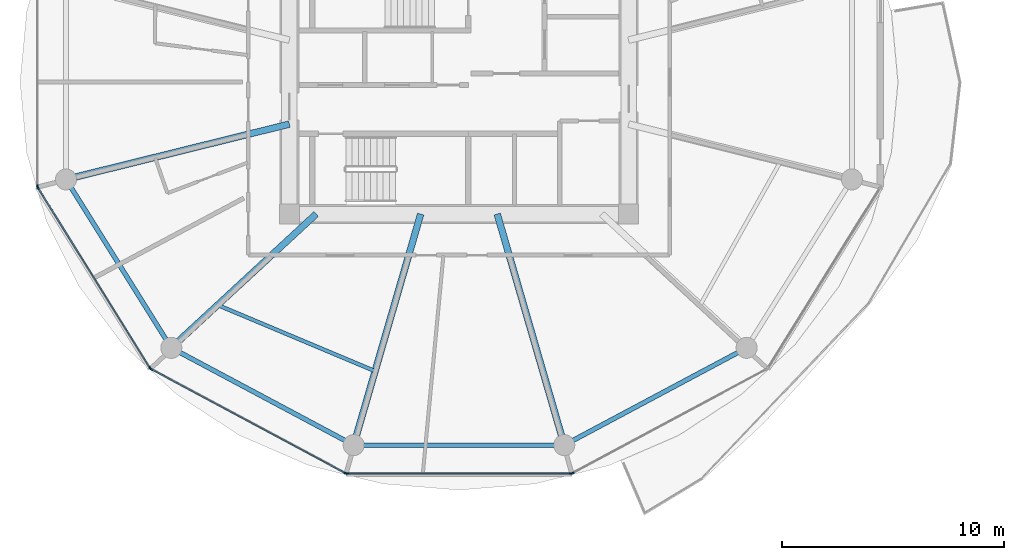
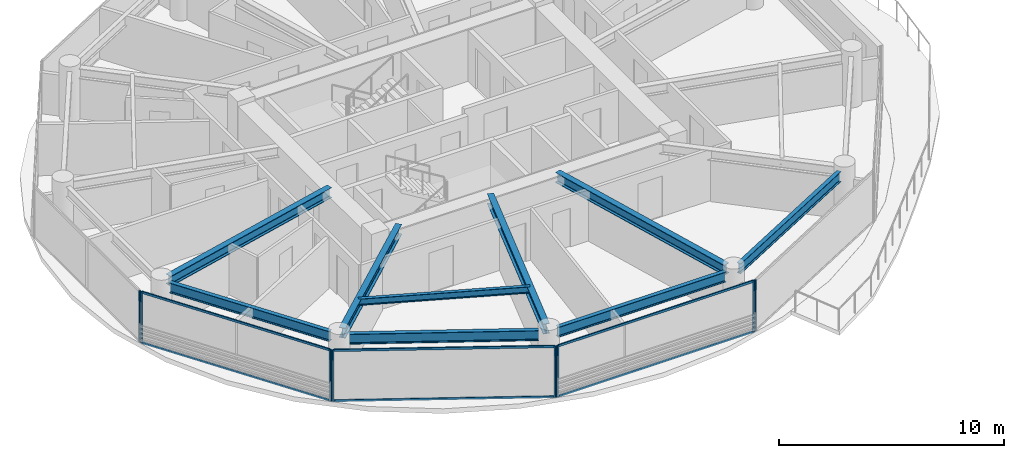
# One storey, part 2 of 27: 14 members, 9 beams, 5 elements without a shape of their own.
"""IFC4 building model written with IfcOpenShell, lengths in metres."""

from ifc_helpers import new_model, si_unit, direction, frame, origin, origin_2d, place, context, subcontext, project, spatial, rectangle, i_section, extrude, source, transform, mapped, material, layer, layer_set, material_profile, profile_set, type_object, type_shapes, element, aggregate, save


model = new_model("IFC4")

# Units and contexts
model_context = context("Model", 3, precision=1e-05, world=origin(), true_north=direction((0.0, 1.0)))
body_context = subcontext(model_context, "Body", "Model", "MODEL_VIEW")
ifc_project = project(units=[si_unit("LENGTHUNIT", "METRE"), si_unit("AREAUNIT", "SQUARE_METRE"), si_unit("VOLUMEUNIT", "CUBIC_METRE"), si_unit("PLANEANGLEUNIT", "RADIAN"), si_unit("MASSUNIT", "GRAM", prefix="KILO")], contexts=[model_context])

# Site, building, storey
site_placement = place(None, origin())
site = spatial("IfcSite", under=ifc_project, at=site_placement, CompositionType="ELEMENT")
building_placement = place(site_placement, origin())
building = spatial("IfcBuilding", under=site, at=building_placement, Name="Norrkilde Senior Care Towers", CompositionType="ELEMENT")
storey_placement = place(building_placement, frame((0.0, 0.0, 61.25)))
storey = spatial("IfcBuildingStorey", under=building, at=storey_placement, Name="L18", CompositionType="ELEMENT", Elevation=61.25)

# Beams
ifc_material_1 = material(Name="Steel S355", Category="steel")
ifc_material_profile_1 = material_profile(ifc_material_1, i_section(OverallWidth=0.2099609375, OverallDepth=0.550048828125, WebThickness=0.010986328125, FlangeThickness=0.01708984375, FilletRadius=0.02392578125, at=origin_2d()), Name="IPE 550")
ifc_profile_set_1 = profile_set([ifc_material_profile_1], Name="Steel S355")
beam_type_1 = type_object("IfcBeamType", Name="Perimeter Ring Spandrel Z1 IPE550", PredefinedType="SPANDREL", material=ifc_profile_set_1)
shared_shape_1 = source(origin(), body_context, "Body", "SweptSolid", [
    extrude(i_section(OverallWidth=0.2099609375, OverallDepth=0.550048828125, WebThickness=0.010986328125, FlangeThickness=0.01708984375, FilletRadius=0.02392578125, at=origin_2d()), origin(), (0.0, 0.0, 1.0), 8.090576171875),
])
beam_1_placement = place(storey_placement, frame((-45.494140625, -4.755859375, 2.514892578125), z_axis=(0.530004364821, -0.84799491347, 0.0), x_axis=(0.84799491347, 0.530004364821, 0.0)))
element("IfcBeam", 1, at=beam_1_placement, inside=storey, type_object=beam_type_1, Name="L18 Drum W Perimeter Spandrel 07", PredefinedType="SPANDREL", context=body_context, shape_type="MappedRepresentation", body=[
    mapped(shared_shape_1, transform((0.0, 0.0, 0.0), x_axis=(1.0, 0.0, 0.0), y_axis=(0.0, 1.0, 0.0), z_axis=(0.0, 0.0, 1.0), scale=1.0)),
])
ifc_material_profile_2 = material_profile(ifc_material_1, i_section(OverallWidth=0.300048828125, OverallDepth=0.550048828125, WebThickness=0.014892578125, FlangeThickness=0.029052734375, FilletRadius=0.027099609375, at=origin_2d()), Name="HEB 550")
ifc_profile_set_2 = profile_set([ifc_material_profile_2], Name="Steel S355")
beam_type_2 = type_object("IfcBeamType", Name="Radial Floor Beam Z1 HEB550", PredefinedType="BEAM", material=ifc_profile_set_2)
shared_shape_2 = source(origin(), body_context, "Body", "SweptSolid", [
    extrude(i_section(OverallWidth=0.300048828125, OverallDepth=0.550048828125, WebThickness=0.014892578125, FlangeThickness=0.029052734375, FilletRadius=0.027099609375, at=origin_2d()), origin(), (0.0, 0.0, 1.0), 9.94384765625),
])
beam_2_placement = place(storey_placement, frame((-35.64990234375, -1.893310546875, 2.514892578125), z_axis=(-0.970707425182, -0.240264634718, 0.0), x_axis=(0.240264634718, -0.970707425182, 0.0)))
element("IfcBeam", 2, at=beam_2_placement, inside=storey, type_object=beam_type_2, Name="L18 Drum W Radial Floor Beam 07", PredefinedType="BEAM", context=body_context, shape_type="MappedRepresentation", body=[
    mapped(shared_shape_2, transform((0.0, 0.0, 0.0), x_axis=(1.0, 0.0, 0.0), y_axis=(0.0, 1.0, 0.0), z_axis=(0.0, 0.0, 1.0), scale=1.0)),
])
shared_shape_3 = source(origin(), body_context, "Body", "SweptSolid", [
    extrude(i_section(OverallWidth=0.2099609375, OverallDepth=0.550048828125, WebThickness=0.010986328125, FlangeThickness=0.01708984375, FilletRadius=0.02392578125, at=origin_2d()), origin(), (0.0, 0.0, 1.0), 8.452880859375),
])
for number, where, z_axis, x_axis, name in (
    (3, (-40.591552734375, -12.190185546875, 2.514892578125), (0.882368931134, -0.470558252898, 0.0), (0.470558252898, 0.882368931134, 0.0), "L18 Drum W Perimeter Spandrel 08"),
    (4, (-22.866943359375, -16.167724609375, 2.514892578125), (0.882368931134, 0.470558252898, 0.0), (-0.470558252898, 0.882368931134, 0.0), "L18 Drum W Perimeter Spandrel 10"),
):
    element("IfcBeam", number, at=place(storey_placement, frame(where, z_axis=z_axis, x_axis=x_axis)), inside=storey, type_object=beam_type_1, Name=name, PredefinedType="SPANDREL", context=body_context, shape_type="MappedRepresentation", body=[
        mapped(shared_shape_3, transform((0.0, 0.0, 0.0), x_axis=(1.0, 0.0, 0.0), y_axis=(0.0, 1.0, 0.0), z_axis=(0.0, 0.0, 1.0), scale=1.0)),
    ])
shared_shape_4 = source(origin(), body_context, "Body", "SweptSolid", [
    extrude(i_section(OverallWidth=0.300048828125, OverallDepth=0.550048828125, WebThickness=0.014892578125, FlangeThickness=0.029052734375, FilletRadius=0.027099609375, at=origin_2d()), origin(), (0.0, 0.0, 1.0), 8.459716796875),
])
beam_3_placement = place(storey_placement, frame((-34.44140625, -5.949951171875, 2.514892578125), z_axis=(-0.734573269108, -0.678529374686, 0.0), x_axis=(0.678529374686, -0.734573269108, 0.0)))
element("IfcBeam", 5, at=beam_3_placement, inside=storey, type_object=beam_type_2, Name="L18 Drum W Radial Floor Beam 08", PredefinedType="BEAM", context=body_context, shape_type="MappedRepresentation", body=[
    mapped(shared_shape_4, transform((0.0, 0.0, 0.0), x_axis=(1.0, 0.0, 0.0), y_axis=(0.0, 1.0, 0.0), z_axis=(0.0, 0.0, 1.0), scale=1.0)),
])
shared_shape_5 = source(origin(), body_context, "Body", "SweptSolid", [
    extrude(i_section(OverallWidth=0.2099609375, OverallDepth=0.550048828125, WebThickness=0.010986328125, FlangeThickness=0.01708984375, FilletRadius=0.02392578125, at=origin_2d()), origin(), (0.0, 0.0, 1.0), 8.62841796875),
])
type_shapes(beam_type_1, [shared_shape_1, shared_shape_3, shared_shape_5])
beam_4_placement = place(storey_placement, frame((-32.314208984375, -16.37255859375, 2.514892578125), z_axis=(1.0, 0.0, 0.0), x_axis=(0.0, 1.0, 0.0)))
element("IfcBeam", 6, at=beam_4_placement, inside=storey, type_object=beam_type_1, Name="L18 Drum W Perimeter Spandrel 09", PredefinedType="SPANDREL", context=body_context, shape_type="MappedRepresentation", body=[
    mapped(shared_shape_5, transform((0.0, 0.0, 0.0), x_axis=(1.0, 0.0, 0.0), y_axis=(0.0, 1.0, 0.0), z_axis=(0.0, 0.0, 1.0), scale=1.0)),
])
shared_shape_6 = source(origin(), body_context, "Body", "SweptSolid", [
    extrude(i_section(OverallWidth=0.300048828125, OverallDepth=0.550048828125, WebThickness=0.014892578125, FlangeThickness=0.029052734375, FilletRadius=0.027099609375, at=origin_2d()), origin(), (0.0, 0.0, 1.0), 10.4169921875),
])
type_shapes(beam_type_2, [shared_shape_2, shared_shape_4, shared_shape_6])
for number, where, z_axis, x_axis, name in (
    (7, (-29.72607421875, -5.949951171875, 2.514892578125), (-0.278591250785, -0.960409764104, 0.0), (0.960409764104, -0.278591250785, 0.0), "L18 Drum W Radial Floor Beam 09"),
    (8, (-26.27392578125, -5.949951171875, 2.514892578125), (0.278591250785, -0.960409764104, 0.0), (0.960409764104, 0.278591250785, 0.0), "L18 Drum W Radial Floor Beam 10"),
):
    element("IfcBeam", number, at=place(storey_placement, frame(where, z_axis=z_axis, x_axis=x_axis)), inside=storey, type_object=beam_type_2, Name=name, PredefinedType="BEAM", context=body_context, shape_type="MappedRepresentation", body=[
        mapped(shared_shape_6, transform((0.0, 0.0, 0.0), x_axis=(1.0, 0.0, 0.0), y_axis=(0.0, 1.0, 0.0), z_axis=(0.0, 0.0, 1.0), scale=1.0)),
    ])
ifc_material_profile_3 = material_profile(ifc_material_1, i_section(OverallWidth=0.169921875, OverallDepth=0.360107421875, WebThickness=0.008056640625, FlangeThickness=0.0126953125, FilletRadius=0.01806640625, at=origin_2d()), Name="IPE 360")
ifc_profile_set_3 = profile_set([ifc_material_profile_3], Name="Steel S355")
beam_type_3 = type_object("IfcBeamType", Name="Secondary Floor Joist IPE360", PredefinedType="JOIST", material=ifc_profile_set_3)
shared_shape_7 = source(origin(), body_context, "Body", "SweptSolid", [
    extrude(i_section(OverallWidth=0.169921875, OverallDepth=0.360107421875, WebThickness=0.008056640625, FlangeThickness=0.0126953125, FilletRadius=0.01806640625, at=origin_2d()), origin(), (0.0, 0.0, 1.0), 7.703857421875),
])
type_shapes(beam_type_3, [shared_shape_7])
beam_5_placement = place(storey_placement, frame((-38.884521484375, -10.05419921875, 2.610107421875), z_axis=(0.921982784465, -0.387230868023, 0.0), x_axis=(0.387230868023, 0.921982784465, 0.0)))
element("IfcBeam", 9, at=beam_5_placement, inside=storey, type_object=beam_type_3, Name="L18 Drum W Secondary Floor Joist 3", PredefinedType="JOIST", context=body_context, shape_type="MappedRepresentation", body=[
    mapped(shared_shape_7, transform((0.0, 0.0, 0.0), x_axis=(1.0, 0.0, 0.0), y_axis=(0.0, 1.0, 0.0), z_axis=(0.0, 0.0, 1.0), scale=1.0)),
])

# Curtain wall, member
ifc_material_2 = material(Name="Triple Low-E Insulated Glazing", Category="glass")
ifc_layer = layer(ifc_material_2, 0.199951171875)
ifc_layer_set = layer_set([ifc_layer], Name="Triple Low-E Insulated Glazing")
curtain_wall_type = type_object("IfcCurtainWallType", Name="CW2 Zone 1 Memory Care Curtain Wall", PredefinedType="NOTDEFINED", material=ifc_layer_set)
curtain_wall_1_placement = place(storey_placement, origin())
curtain_wall_1 = element("IfcCurtainWall", 10, at=curtain_wall_1_placement, inside=storey, type_object=curtain_wall_type, Name="L18 Drum W Curtain Wall 05", PredefinedType="NOTDEFINED")
ifc_material_3 = material(Name="Anodised Aluminium", Category="aluminium")
ifc_material_profile_4 = material_profile(ifc_material_3, rectangle(XDim=0.06494140625, YDim=0.159912109375, at=origin_2d()), Name="ALU MULL 65x160")
ifc_profile_set_4 = profile_set([ifc_material_profile_4], Name="Anodised Aluminium")
member_type_1 = type_object("IfcMemberType", Name="Curtain Wall Mullion Z1-Z2 65x160", PredefinedType="MULLION", material=ifc_profile_set_4)
shared_shape_8 = source(origin(), body_context, "Body", "SweptSolid", [
    extrude(rectangle(XDim=0.06494140625, YDim=0.159912109375, at=origin_2d()), origin(), (0.0, 0.0, 1.0), 2.7900390625),
])
type_shapes(member_type_1, [shared_shape_8])
member_1_placement = place(storey_placement, frame((-47.009521484375, -4.69873046875, 0.0), z_axis=(0.0, 0.0, 1.0), x_axis=(-1.0, 0.0, 0.0)))
member_1 = element("IfcMember", 11, at=member_1_placement, type_object=member_type_1, Name="CW-2 mullion 1", PredefinedType="MULLION", context=body_context, shape_type="MappedRepresentation", body=[
    mapped(shared_shape_8, transform((0.0, 0.0, 0.0), x_axis=(1.0, 0.0, 0.0), y_axis=(0.0, 1.0, 0.0), z_axis=(0.0, 0.0, 1.0), scale=1.0)),
])
aggregate(curtain_wall_1, [member_1])

# Curtain wall, members
curtain_wall_2_placement = place(storey_placement, origin())
curtain_wall_2 = element("IfcCurtainWall", 12, at=curtain_wall_2_placement, inside=storey, type_object=curtain_wall_type, Name="L18 Drum W Curtain Wall 06", PredefinedType="NOTDEFINED")
member_2_placement = place(storey_placement, frame((-41.93310546875, -12.898193359375, 0.0), z_axis=(0.0, 0.0, 1.0), x_axis=(-0.849305943117, -0.527900951871, 0.0)))
member_2 = element("IfcMember", 13, at=member_2_placement, type_object=member_type_1, Name="CW-2 mullion 1", PredefinedType="MULLION", context=body_context, shape_type="MappedRepresentation", body=[
    mapped(shared_shape_8, transform((0.0, 0.0, 0.0), x_axis=(1.0, 0.0, 0.0), y_axis=(0.0, 1.0, 0.0), z_axis=(0.0, 0.0, 1.0), scale=1.0)),
])
member_3_placement = place(storey_placement, frame((-46.9921875, -4.7587890625, 0.0), z_axis=(0.0, 0.0, 1.0), x_axis=(-0.849305943117, -0.527900951871, 0.0)))
member_3 = element("IfcMember", 14, at=member_3_placement, type_object=member_type_1, Name="CW-2 mullion 2", PredefinedType="MULLION", context=body_context, shape_type="MappedRepresentation", body=[
    mapped(shared_shape_8, transform((0.0, 0.0, 0.0), x_axis=(1.0, 0.0, 0.0), y_axis=(0.0, 1.0, 0.0), z_axis=(0.0, 0.0, 1.0), scale=1.0)),
])

curtain_wall_3_placement = place(storey_placement, origin())
curtain_wall_3 = element("IfcCurtainWall", 15, at=curtain_wall_3_placement, inside=storey, type_object=curtain_wall_type, Name="L18 Drum W Curtain Wall 07", PredefinedType="NOTDEFINED")
member_4_placement = place(storey_placement, frame((-33.122314453125, -17.641845703125, 0.0), z_axis=(0.0, 0.0, 1.0), x_axis=(-0.472607802456, -0.881272866403, 0.0)))
member_4 = element("IfcMember", 16, at=member_4_placement, type_object=member_type_1, Name="CW-2 mullion 1", PredefinedType="MULLION", context=body_context, shape_type="MappedRepresentation", body=[
    mapped(shared_shape_8, transform((0.0, 0.0, 0.0), x_axis=(1.0, 0.0, 0.0), y_axis=(0.0, 1.0, 0.0), z_axis=(0.0, 0.0, 1.0), scale=1.0)),
])
member_5_placement = place(storey_placement, frame((-41.88720703125, -12.941162109375, 0.0), z_axis=(0.0, 0.0, 1.0), x_axis=(-0.472607802456, -0.881272866403, 0.0)))
member_5 = element("IfcMember", 17, at=member_5_placement, type_object=member_type_1, Name="CW-2 mullion 2", PredefinedType="MULLION", context=body_context, shape_type="MappedRepresentation", body=[
    mapped(shared_shape_8, transform((0.0, 0.0, 0.0), x_axis=(1.0, 0.0, 0.0), y_axis=(0.0, 1.0, 0.0), z_axis=(0.0, 0.0, 1.0), scale=1.0)),
])

curtain_wall_4_placement = place(storey_placement, origin())
curtain_wall_4 = element("IfcCurtainWall", 18, at=curtain_wall_4_placement, inside=storey, type_object=curtain_wall_type, Name="L18 Drum W Curtain Wall 08", PredefinedType="NOTDEFINED")
member_6_placement = place(storey_placement, frame((-22.93896484375, -17.6572265625, 0.0), z_axis=(0.0, 0.0, 1.0), x_axis=(0.0, -1.0, 0.0)))
member_6 = element("IfcMember", 19, at=member_6_placement, type_object=member_type_1, Name="CW-2 mullion 1", PredefinedType="MULLION", context=body_context, shape_type="MappedRepresentation", body=[
    mapped(shared_shape_8, transform((0.0, 0.0, 0.0), x_axis=(1.0, 0.0, 0.0), y_axis=(0.0, 1.0, 0.0), z_axis=(0.0, 0.0, 1.0), scale=1.0)),
])
member_7_placement = place(storey_placement, frame((-33.06103515625, -17.6572265625, 0.0), z_axis=(0.0, 0.0, 1.0), x_axis=(0.0, -1.0, 0.0)))
member_7 = element("IfcMember", 20, at=member_7_placement, type_object=member_type_1, Name="CW-2 mullion 2", PredefinedType="MULLION", context=body_context, shape_type="MappedRepresentation", body=[
    mapped(shared_shape_8, transform((0.0, 0.0, 0.0), x_axis=(1.0, 0.0, 0.0), y_axis=(0.0, 1.0, 0.0), z_axis=(0.0, 0.0, 1.0), scale=1.0)),
])

# Curtain wall, member
curtain_wall_5_placement = place(storey_placement, origin())
curtain_wall_5 = element("IfcCurtainWall", 21, at=curtain_wall_5_placement, inside=storey, type_object=curtain_wall_type, Name="L18 Drum W Curtain Wall 09", PredefinedType="NOTDEFINED")
member_8_placement = place(storey_placement, frame((-22.877685546875, -17.641845703125, 0.0), z_axis=(0.0, 0.0, 1.0), x_axis=(0.472607802456, -0.881272866403, 0.0)))
member_8 = element("IfcMember", 22, at=member_8_placement, type_object=member_type_1, Name="CW-2 mullion 2", PredefinedType="MULLION", context=body_context, shape_type="MappedRepresentation", body=[
    mapped(shared_shape_8, transform((0.0, 0.0, 0.0), x_axis=(1.0, 0.0, 0.0), y_axis=(0.0, 1.0, 0.0), z_axis=(0.0, 0.0, 1.0), scale=1.0)),
])
aggregate(curtain_wall_5, [member_8])

# Member
ifc_material_profile_5 = material_profile(ifc_material_3, rectangle(XDim=0.06005859375, YDim=0.1201171875, at=origin_2d()), Name="ALU TRAN 60x120")
ifc_profile_set_5 = profile_set([ifc_material_profile_5], Name="Anodised Aluminium")
member_type_2 = type_object("IfcMemberType", Name="Curtain Wall Transom Typical 60x120", PredefinedType="USERDEFINED", material=ifc_profile_set_5)
shared_shape_9 = source(origin(), body_context, "Body", "SweptSolid", [
    extrude(rectangle(XDim=0.06005859375, YDim=0.1201171875, at=origin_2d()), origin(), (0.0, 0.0, 1.0), 9.5185546875),
])
member_9_placement = place(storey_placement, frame((-41.9501953125, -12.87060546875, 0.030029296875), z_axis=(-0.527901620669, 0.849305527413, 0.0), x_axis=(-0.849305527413, -0.527901620669, 0.0)))
member_9 = element("IfcMember", 23, at=member_9_placement, type_object=member_type_2, Name="CW-2 transom 1.1", ObjectType="TRANSOM", PredefinedType="USERDEFINED", context=body_context, shape_type="MappedRepresentation", body=[
    mapped(shared_shape_9, transform((0.0, 0.0, 0.0), x_axis=(1.0, 0.0, 0.0), y_axis=(0.0, 1.0, 0.0), z_axis=(0.0, 0.0, 1.0), scale=1.0)),
])

member_10_placement = place(storey_placement, frame((-41.9501953125, -12.87060546875, 2.760009765625), z_axis=(-0.527901620669, 0.849305527413, 0.0), x_axis=(-0.849305527413, -0.527901620669, 0.0)))
member_10 = element("IfcMember", 24, at=member_10_placement, type_object=member_type_2, Name="CW-2 transom 1.2", ObjectType="TRANSOM", PredefinedType="USERDEFINED", context=body_context, shape_type="MappedRepresentation", body=[
    mapped(shared_shape_9, transform((0.0, 0.0, 0.0), x_axis=(1.0, 0.0, 0.0), y_axis=(0.0, 1.0, 0.0), z_axis=(0.0, 0.0, 1.0), scale=1.0)),
])

aggregate(curtain_wall_2, [member_2, member_3, member_9, member_10])

shared_shape_10 = source(origin(), body_context, "Body", "SweptSolid", [
    extrude(rectangle(XDim=0.06005859375, YDim=0.1201171875, at=origin_2d()), origin(), (0.0, 0.0, 1.0), 9.880859375),
])
member_11_placement = place(storey_placement, frame((-33.15087890625, -17.62646484375, 0.030029296875), z_axis=(-0.881267204043, 0.47261836092, 0.0), x_axis=(-0.47261836092, -0.881267204043, 0.0)))
member_11 = element("IfcMember", 25, at=member_11_placement, type_object=member_type_2, Name="CW-2 transom 1.1", ObjectType="TRANSOM", PredefinedType="USERDEFINED", context=body_context, shape_type="MappedRepresentation", body=[
    mapped(shared_shape_10, transform((0.0, 0.0, 0.0), x_axis=(1.0, 0.0, 0.0), y_axis=(0.0, 1.0, 0.0), z_axis=(0.0, 0.0, 1.0), scale=1.0)),
])

member_12_placement = place(storey_placement, frame((-33.15087890625, -17.62646484375, 2.760009765625), z_axis=(-0.881267204043, 0.47261836092, 0.0), x_axis=(-0.47261836092, -0.881267204043, 0.0)))
member_12 = element("IfcMember", 26, at=member_12_placement, type_object=member_type_2, Name="CW-2 transom 1.2", ObjectType="TRANSOM", PredefinedType="USERDEFINED", context=body_context, shape_type="MappedRepresentation", body=[
    mapped(shared_shape_10, transform((0.0, 0.0, 0.0), x_axis=(1.0, 0.0, 0.0), y_axis=(0.0, 1.0, 0.0), z_axis=(0.0, 0.0, 1.0), scale=1.0)),
])

aggregate(curtain_wall_3, [member_4, member_5, member_11, member_12])

shared_shape_11 = source(origin(), body_context, "Body", "SweptSolid", [
    extrude(rectangle(XDim=0.06005859375, YDim=0.1201171875, at=origin_2d()), origin(), (0.0, 0.0, 1.0), 10.05712890625),
])
type_shapes(member_type_2, [shared_shape_9, shared_shape_10, shared_shape_11])
member_13_placement = place(storey_placement, frame((-22.971435546875, -17.6572265625, 0.030029296875), z_axis=(-1.0, 0.0, 0.0), x_axis=(0.0, -1.0, 0.0)))
member_13 = element("IfcMember", 27, at=member_13_placement, type_object=member_type_2, Name="CW-2 transom 1.1", ObjectType="TRANSOM", PredefinedType="USERDEFINED", context=body_context, shape_type="MappedRepresentation", body=[
    mapped(shared_shape_11, transform((0.0, 0.0, 0.0), x_axis=(1.0, 0.0, 0.0), y_axis=(0.0, 1.0, 0.0), z_axis=(0.0, 0.0, 1.0), scale=1.0)),
])

member_14_placement = place(storey_placement, frame((-22.971435546875, -17.6572265625, 2.760009765625), z_axis=(-1.0, 0.0, 0.0), x_axis=(0.0, -1.0, 0.0)))
member_14 = element("IfcMember", 28, at=member_14_placement, type_object=member_type_2, Name="CW-2 transom 1.2", ObjectType="TRANSOM", PredefinedType="USERDEFINED", context=body_context, shape_type="MappedRepresentation", body=[
    mapped(shared_shape_11, transform((0.0, 0.0, 0.0), x_axis=(1.0, 0.0, 0.0), y_axis=(0.0, 1.0, 0.0), z_axis=(0.0, 0.0, 1.0), scale=1.0)),
])

aggregate(curtain_wall_4, [member_6, member_7, member_13, member_14])

save(model, "model.ifc")
